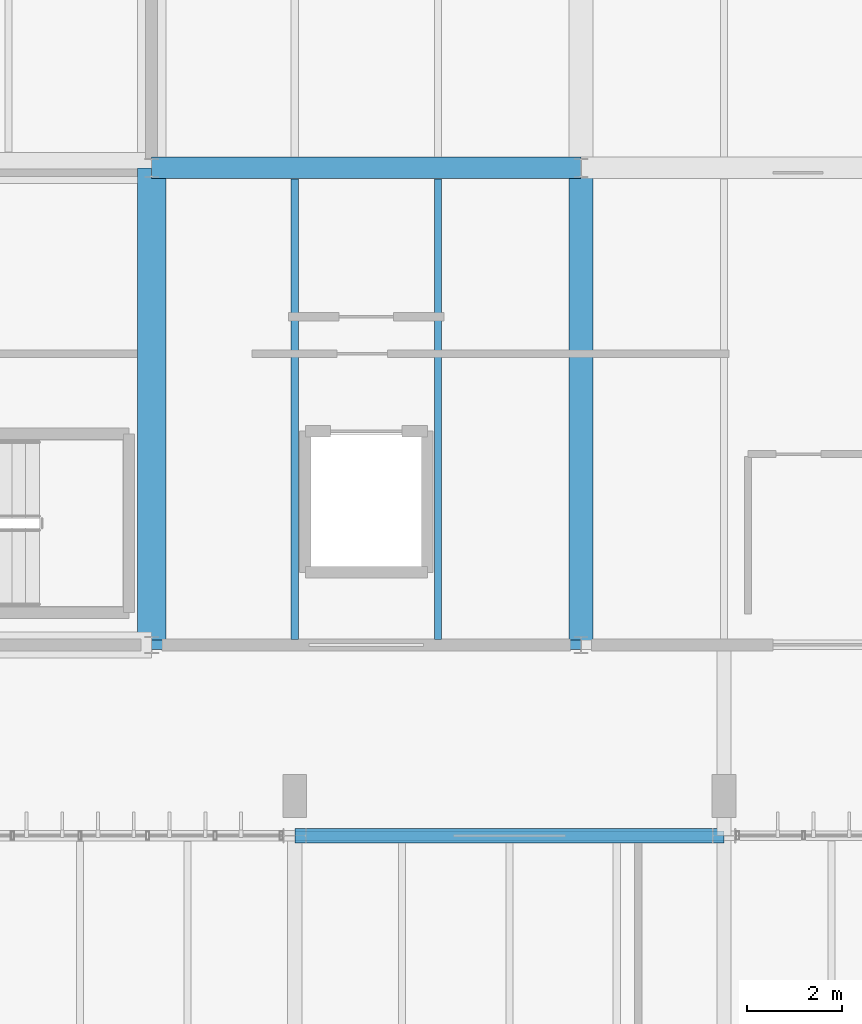
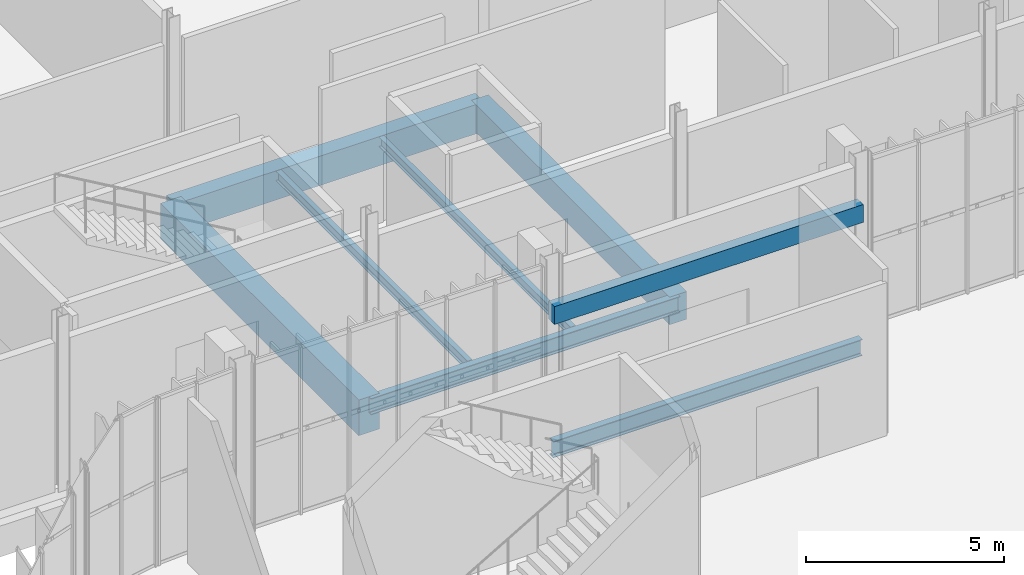
# One storey, part 63 of 158: 8 beams.
"""IFC4 building model written with IfcOpenShell, lengths in metres."""

from ifc_helpers import new_model, si_unit, derived_unit, direction, frame, origin, origin_2d, place, context, subcontext, project, spatial, rectangle, i_section, extrude, material, material_profile, profile_set, type_object, element, save


model = new_model("IFC4")

# Units and contexts
model_context = context("Model", 3, precision=1e-05, world=origin(), true_north=direction((0.0, 1.0)))
body_context = subcontext(model_context, "Body", "Model", "MODEL_VIEW")
ifc_project = project(units=[si_unit("LENGTHUNIT", "METRE"), si_unit("AREAUNIT", "SQUARE_METRE"), si_unit("VOLUMEUNIT", "CUBIC_METRE"), si_unit("PLANEANGLEUNIT", "RADIAN"), si_unit("MASSUNIT", "GRAM", prefix="KILO"), si_unit("THERMODYNAMICTEMPERATUREUNIT", "KELVIN"), si_unit("TIMEUNIT", "SECOND"), derived_unit("THERMALTRANSMITTANCEUNIT", [(si_unit("MASSUNIT", "GRAM", prefix="KILO"), 1), (si_unit("THERMODYNAMICTEMPERATUREUNIT", "KELVIN"), -1), (si_unit("TIMEUNIT", "SECOND"), -3)])], contexts=[model_context])

# Site, building, storey
site_placement = place(None, origin())
site = spatial("IfcSite", under=ifc_project, at=site_placement, CompositionType="ELEMENT")
building_placement = place(site_placement, origin())
building = spatial("IfcBuilding", under=site, at=building_placement, Name="Cambertide Market Hall", CompositionType="ELEMENT")
storey_placement = place(building_placement, origin())
storey = spatial("IfcBuildingStorey", under=building, at=storey_placement, Name="L01", CompositionType="ELEMENT", Elevation=0.0)

# Beams
ifc_material_1 = material(Name="Concrete B35", Category="concrete")
ifc_material_profile_1 = material_profile(ifc_material_1, rectangle(XDim=0.449951171875, YDim=0.89990234375, at=origin_2d()), Name="RC 450x900")
ifc_profile_set_1 = profile_set([ifc_material_profile_1], Name="Concrete B35")
beam_type_1 = type_object("IfcBeamType", Name="Concrete Girder RC 450x900", PredefinedType="BEAM", material=ifc_profile_set_1)
beam_1_placement = place(storey_placement, frame((48.0, 106.0, -0.81005859375), z_axis=(1.0, 0.0, 0.0), x_axis=(0.0, 1.0, 0.0)))
element("IfcBeam", 1, at=beam_1_placement, inside=storey, type_object=beam_type_1, Name="Level 1 Beam BM-V2X-L01-5-2", PredefinedType="BEAM", context=body_context, shape_type="SweptSolid", body=[
    extrude(rectangle(XDim=0.449951171875, YDim=0.89990234375, at=origin_2d()), origin(), (0.0, 0.0, 1.0), 9.0),
])
ifc_material_2 = material(Name="Concrete B35", Category="concrete")
ifc_material_profile_2 = material_profile(ifc_material_2, rectangle(XDim=0.5, YDim=0.85009765625, at=origin_2d()), Name="RC 500x850")
ifc_profile_set_2 = profile_set([ifc_material_profile_2], Name="Concrete B35")
beam_type_2 = type_object("IfcBeamType", Name="Concrete Girder RC 500x850", PredefinedType="BEAM", material=ifc_profile_set_2)
beam_2_placement = place(storey_placement, frame((57.0, 96.0, -0.784912109375), z_axis=(0.0, 1.0, 0.0), x_axis=(-1.0, 0.0, 0.0)))
element("IfcBeam", 2, at=beam_2_placement, inside=storey, type_object=beam_type_2, Name="Level 1 Beam BM-V2Y-L01-6-1", PredefinedType="BEAM", context=body_context, shape_type="SweptSolid", body=[
    extrude(rectangle(XDim=0.5, YDim=0.85009765625, at=origin_2d()), origin(), (0.0, 0.0, 1.0), 10.0),
])
ifc_material_3 = material(Name="Concrete B35", Category="concrete")
ifc_material_profile_3 = material_profile(ifc_material_3, rectangle(XDim=0.60009765625, YDim=1.10009765625, at=origin_2d()), Name="RC 600x1100")
ifc_profile_set_3 = profile_set([ifc_material_profile_3], Name="Concrete B35")
beam_type_3 = type_object("IfcBeamType", Name="Concrete T-Beam RC 600x1100", PredefinedType="T_BEAM", material=ifc_profile_set_3)
beam_3_placement = place(storey_placement, frame((48.0, 96.0, -0.909912109375), z_axis=(0.0, 1.0, 0.0), x_axis=(-1.0, 0.0, 0.0)))
element("IfcBeam", 3, at=beam_3_placement, inside=storey, type_object=beam_type_3, Name="Level 1 T_Beam BM-V2Y-L01-5-1", PredefinedType="T_BEAM", context=body_context, shape_type="SweptSolid", body=[
    extrude(rectangle(XDim=0.60009765625, YDim=1.10009765625, at=origin_2d()), origin(), (0.0, 0.0, 1.0), 10.0),
])
ifc_material_4 = material(Name="Precast concrete B35", Category="concrete")
ifc_material_profile_4 = material_profile(ifc_material_4, rectangle(XDim=0.300048828125, YDim=0.550048828125, at=origin_2d()), Name="RC 300x550")
ifc_profile_set_4 = profile_set([ifc_material_profile_4], Name="Precast concrete B35")
beam_type_4 = type_object("IfcBeamType", Name="Exterior Structural Lintel RC 300x550", PredefinedType="LINTEL", material=ifc_profile_set_4)
beam_4_placement = place(storey_placement, frame((51.0, 92.0, 3.60009765625), z_axis=(1.0, 0.0, 0.0), x_axis=(0.0, 1.0, 0.0)))
element("IfcBeam", 4, at=beam_4_placement, inside=storey, type_object=beam_type_4, Name="Level 1 North Portal Lintel 2", PredefinedType="LINTEL", context=body_context, shape_type="SweptSolid", body=[
    extrude(rectangle(XDim=0.300048828125, YDim=0.550048828125, at=origin_2d()), origin(), (0.0, 0.0, 1.0), 9.0),
])
ifc_material_5 = material(Name="Steel S355", Category="steel")
ifc_material_profile_5 = material_profile(ifc_material_5, i_section(OverallWidth=0.199951171875, OverallDepth=0.5, WebThickness=0.01025390625, FlangeThickness=0.01611328125, FilletRadius=0.02099609375, at=origin_2d()), Name="IPE 500")
ifc_profile_set_5 = profile_set([ifc_material_profile_5], Name="Steel S355")
beam_type_5 = type_object("IfcBeamType", Name="Steel Girder IPE 500", PredefinedType="BEAM", material=ifc_profile_set_5)
for number, where, z_axis, x_axis, name in (
    (5, (51.0, 92.0, -0.56005859375), (1.0, 0.0, 0.0), (0.0, 1.0, 0.0), "Level 1 Beam BM-V1N-L01-2"),
    (6, (48.0, 96.0, -0.610107421875), (1.0, 0.0, 0.0), (0.0, 1.0, 0.0), "Level 1 Beam BM-V2X-L01-5-1"),
):
    element("IfcBeam", number, at=place(storey_placement, frame(where, z_axis=z_axis, x_axis=x_axis)), inside=storey, type_object=beam_type_5, Name=name, PredefinedType="BEAM", context=body_context, shape_type="SweptSolid", body=[
        extrude(i_section(OverallWidth=0.199951171875, OverallDepth=0.5, WebThickness=0.01025390625, FlangeThickness=0.01611328125, FilletRadius=0.02099609375, at=origin_2d()), origin(), (0.0, 0.0, 1.0), 9.0),
    ])
ifc_material_6 = material(Name="Steel S275", Category="steel")
ifc_material_profile_6 = material_profile(ifc_material_6, i_section(OverallWidth=0.14990234375, OverallDepth=0.300048828125, WebThickness=0.007080078125, FlangeThickness=0.0107421875, FilletRadius=0.014892578125, at=origin_2d()), Name="IPE 300")
ifc_profile_set_6 = profile_set([ifc_material_profile_6], Name="Steel S275")
beam_type_6 = type_object("IfcBeamType", Name="Steel Secondary Joist IPE 300", PredefinedType="JOIST", material=ifc_profile_set_6)
for number, where, z_axis, x_axis, name in (
    (7, (51.0, 96.10791015625, -0.510009765625), (0.0, 1.0, 0.0), (-1.0, 0.0, 0.0), "Level 1 Joist JS-V2-L01-5-1-1"),
    (8, (54.0, 96.10791015625, -0.510009765625), (0.0, 1.0, 0.0), (-1.0, 0.0, 0.0), "Level 1 Joist JS-V2-L01-5-1-2"),
):
    element("IfcBeam", number, at=place(storey_placement, frame(where, z_axis=z_axis, x_axis=x_axis)), inside=storey, type_object=beam_type_6, Name=name, PredefinedType="JOIST", context=body_context, shape_type="SweptSolid", body=[
        extrude(i_section(OverallWidth=0.14990234375, OverallDepth=0.300048828125, WebThickness=0.007080078125, FlangeThickness=0.0107421875, FilletRadius=0.014892578125, at=origin_2d()), origin(), (0.0, 0.0, 1.0), 9.6591796875),
    ])

save(model, "model.ifc")
